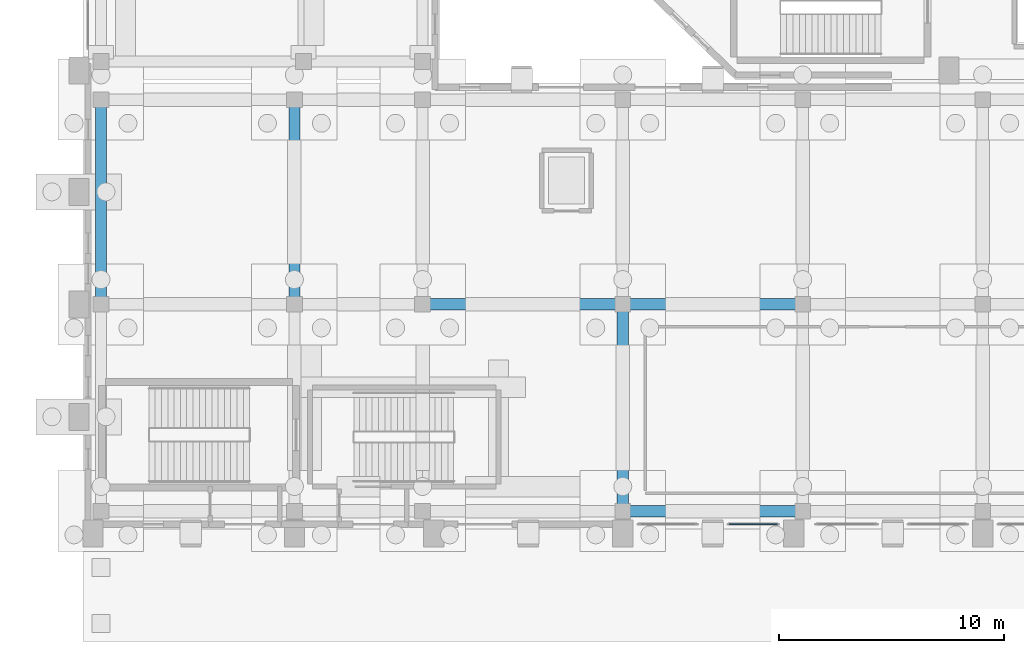
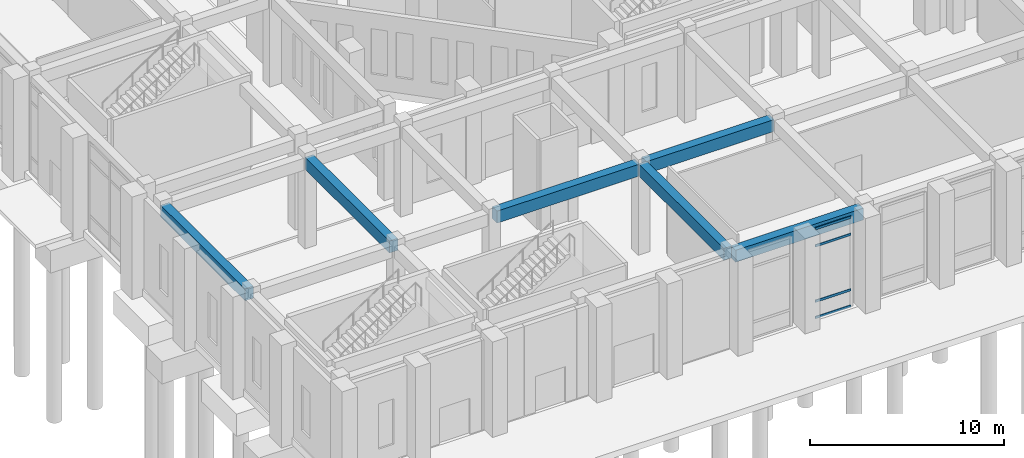
# One storey, part 22 of 143: 6 beams, 4 members, 1 element without a shape of its own.
"""IFC4 building model written with IfcOpenShell, lengths in metres."""

from ifc_helpers import new_model, si_unit, derived_unit, direction, frame, origin, origin_2d, place, context, subcontext, project, spatial, rectangle, extrude, material, layer, layer_set, material_profile, profile_set, type_object, element, aggregate, save


model = new_model("IFC4")

# Units and contexts
model_context = context("Model", 3, precision=1e-05, world=origin(), true_north=direction((0.0, 1.0)))
body_context = subcontext(model_context, "Body", "Model", "MODEL_VIEW")
ifc_project = project(units=[si_unit("LENGTHUNIT", "METRE"), si_unit("AREAUNIT", "SQUARE_METRE"), si_unit("VOLUMEUNIT", "CUBIC_METRE"), si_unit("PLANEANGLEUNIT", "RADIAN"), si_unit("MASSUNIT", "GRAM", prefix="KILO"), derived_unit("THERMALTRANSMITTANCEUNIT", [(si_unit("MASSUNIT", "GRAM", prefix="KILO"), 1), (si_unit("TIMEUNIT", "SECOND"), -3), (si_unit("THERMODYNAMICTEMPERATUREUNIT", "KELVIN"), -1)])], contexts=[model_context])

# Site, building, storey
site_placement = place(None, origin())
site = spatial("IfcSite", under=ifc_project, at=site_placement, CompositionType="ELEMENT")
building_placement = place(site_placement, origin())
building = spatial("IfcBuilding", under=site, at=building_placement, Name="Valcora Ridge Arena", CompositionType="ELEMENT")
storey_placement = place(building_placement, origin())
storey = spatial("IfcBuildingStorey", under=building, at=storey_placement, Name="L00", CompositionType="ELEMENT", Elevation=0.0)

# Beams
ifc_material_1 = material(Name="Concrete C40/50", Category="concrete")
ifc_material_profile_1 = material_profile(ifc_material_1, rectangle(XDim=0.5, YDim=0.75, at=origin_2d()), Name="RC 500x750")
ifc_profile_set_1 = profile_set([ifc_material_profile_1], Name="Concrete C40/50")
beam_type_1 = type_object("IfcBeamType", Name="TY-BEAM-B-RC500-X", PredefinedType="BEAM", material=ifc_profile_set_1)
beam_1_placement = place(storey_placement, frame((15.300048828125, 10.0, 5.264892578125), z_axis=(1.0, 0.0, 0.0), x_axis=(0.0, 1.0, 0.0)))
element("IfcBeam", 1, at=beam_1_placement, inside=storey, type_object=beam_type_1, Name="B-RC500-X BEM-B-RC500-X-0003", PredefinedType="BEAM", context=body_context, shape_type="SweptSolid", body=[
    extrude(rectangle(XDim=0.5, YDim=0.75, at=origin_2d()), origin(), (0.0, 0.0, 1.0), 8.5),
])
beam_2_placement = place(storey_placement, frame((24.199951171875, 10.0, 5.264892578125), z_axis=(1.0, 0.0, 0.0), x_axis=(0.0, 1.0, 0.0)))
element("IfcBeam", 2, at=beam_2_placement, inside=storey, type_object=beam_type_1, Name="B-RC500-X BEM-B-RC500-X-0004", PredefinedType="BEAM", context=body_context, shape_type="SweptSolid", body=[
    extrude(rectangle(XDim=0.5, YDim=0.75, at=origin_2d()), origin(), (0.0, 0.0, 1.0), 7.60009765625),
])
ifc_material_profile_2 = material_profile(ifc_material_1, rectangle(XDim=0.5, YDim=0.75, at=origin_2d()), Name="RC 500x750")
ifc_profile_set_2 = profile_set([ifc_material_profile_2], Name="Concrete C40/50")
beam_type_2 = type_object("IfcBeamType", Name="TY-BEAM-B-RC500-Y", PredefinedType="BEAM", material=ifc_profile_set_2)
for number, where, z_axis, x_axis, name in (
    (3, (0.800048828125, 10.199951171875, 5.264892578125), (0.0, 1.0, 0.0), (-1.0, 0.0, 0.0), "B-RC500-Y BEM-B-RC500-Y-0002"),
    (4, (9.39990234375, 10.199951171875, 5.264892578125), (0.0, 1.0, 0.0), (-1.0, 0.0, 0.0), "B-RC500-Y BEM-B-RC500-Y-0010"),
):
    element("IfcBeam", number, at=place(storey_placement, frame(where, z_axis=z_axis, x_axis=x_axis)), inside=storey, type_object=beam_type_2, Name=name, PredefinedType="BEAM", context=body_context, shape_type="SweptSolid", body=[
        extrude(rectangle(XDim=0.5, YDim=0.75, at=origin_2d()), origin(), (0.0, 0.0, 1.0), 8.699951171875),
    ])
beam_3_placement = place(storey_placement, frame((24.0, 1.0, 5.264892578125), z_axis=(0.0, 1.0, 0.0), x_axis=(-1.0, 0.0, 0.0)))
element("IfcBeam", 5, at=beam_3_placement, inside=storey, type_object=beam_type_2, Name="B-RC500-Y BEM-B-RC500-Y-0024", PredefinedType="BEAM", context=body_context, shape_type="SweptSolid", body=[
    extrude(rectangle(XDim=0.5, YDim=0.75, at=origin_2d()), origin(), (0.0, 0.0, 1.0), 8.800048828125),
])
ifc_material_profile_3 = material_profile(ifc_material_1, rectangle(XDim=0.5, YDim=0.75, at=origin_2d()), Name="RC 500x750")
ifc_profile_set_3 = profile_set([ifc_material_profile_3], Name="Concrete C40/50")
beam_type_3 = type_object("IfcBeamType", Name="TY-BEAM-EB-RC500", PredefinedType="BEAM", material=ifc_profile_set_3)
beam_4_placement = place(storey_placement, frame((24.199951171875, 0.800048828125, 5.264892578125), z_axis=(1.0, 0.0, 0.0), x_axis=(0.0, 1.0, 0.0)))
element("IfcBeam", 6, at=beam_4_placement, inside=storey, type_object=beam_type_3, Name="EB-RC500 BEM-EB-RC500-0004", PredefinedType="BEAM", context=body_context, shape_type="SweptSolid", body=[
    extrude(rectangle(XDim=0.5, YDim=0.75, at=origin_2d()), origin(), (0.0, 0.0, 1.0), 7.60009765625),
])

# Curtain wall, members
ifc_material_2 = material(Name="Anodised dark bronze architectural aluminium 6063-T6", Category="aluminium")
ifc_layer = layer(ifc_material_2, 0.14990234375, Name="Anodised dark bronze architectural aluminium 6063-T6")
ifc_layer_set = layer_set([ifc_layer], Name="Anodised dark bronze architectural aluminium 6063-T6")
curtain_wall_type = type_object("IfcCurtainWallType", Name="TY-CURTAINWALL-CW-V4-CLUB-022X56", PredefinedType="NOTDEFINED", material=ifc_layer_set)
curtain_wall_placement = place(storey_placement, origin())
curtain_wall = element("IfcCurtainWall", 7, at=curtain_wall_placement, inside=storey, type_object=curtain_wall_type, Name="CW-V4-CLUB-022X56 CW-0185", PredefinedType="NOTDEFINED")
ifc_material_profile_4 = material_profile(ifc_material_2, rectangle(XDim=0.050048828125, YDim=0.14990234375, at=origin_2d()), Name="ALU TRANSOM 50x150")
ifc_profile_set_4 = profile_set([ifc_material_profile_4], Name="Anodised dark bronze architectural aluminium 6063-T6")
member_type = type_object("IfcMemberType", Name="TY-MEM-CWT-50x150", PredefinedType="USERDEFINED", material=ifc_profile_set_4)
member_1_placement = place(storey_placement, frame((28.739990234375, 0.219970703125, 0.02490234375), z_axis=(1.0, 0.0, 0.0), x_axis=(0.0, 1.0, 0.0)))
member_1 = element("IfcMember", 8, at=member_1_placement, type_object=member_type, Name="CW-0185/CWT-50x150/T00-00", ObjectType="TRANSOM", PredefinedType="USERDEFINED", context=body_context, shape_type="SweptSolid", body=[
    extrude(rectangle(XDim=0.050048828125, YDim=0.14990234375, at=origin_2d()), origin(), (0.0, 0.0, 1.0), 2.1201171875),
])
member_2_placement = place(storey_placement, frame((28.739990234375, 0.219970703125, 1.050048828125), z_axis=(1.0, 0.0, 0.0), x_axis=(0.0, 1.0, 0.0)))
member_2 = element("IfcMember", 9, at=member_2_placement, type_object=member_type, Name="CW-0185/CWT-50x150/T00-01", ObjectType="TRANSOM", PredefinedType="USERDEFINED", context=body_context, shape_type="SweptSolid", body=[
    extrude(rectangle(XDim=0.050048828125, YDim=0.14990234375, at=origin_2d()), origin(), (0.0, 0.0, 1.0), 2.1201171875),
])
member_3_placement = place(storey_placement, frame((28.739990234375, 0.219970703125, 4.5400390625), z_axis=(1.0, 0.0, 0.0), x_axis=(0.0, 1.0, 0.0)))
member_3 = element("IfcMember", 10, at=member_3_placement, type_object=member_type, Name="CW-0185/CWT-50x150/T00-02", ObjectType="TRANSOM", PredefinedType="USERDEFINED", context=body_context, shape_type="SweptSolid", body=[
    extrude(rectangle(XDim=0.050048828125, YDim=0.14990234375, at=origin_2d()), origin(), (0.0, 0.0, 1.0), 2.1201171875),
])
member_4_placement = place(storey_placement, frame((28.739990234375, 0.219970703125, 5.614990234375), z_axis=(1.0, 0.0, 0.0), x_axis=(0.0, 1.0, 0.0)))
member_4 = element("IfcMember", 11, at=member_4_placement, type_object=member_type, Name="CW-0185/CWT-50x150/T00-03", ObjectType="TRANSOM", PredefinedType="USERDEFINED", context=body_context, shape_type="SweptSolid", body=[
    extrude(rectangle(XDim=0.050048828125, YDim=0.14990234375, at=origin_2d()), origin(), (0.0, 0.0, 1.0), 2.1201171875),
])
aggregate(curtain_wall, [member_1, member_2, member_3, member_4])

save(model, "model.ifc")
